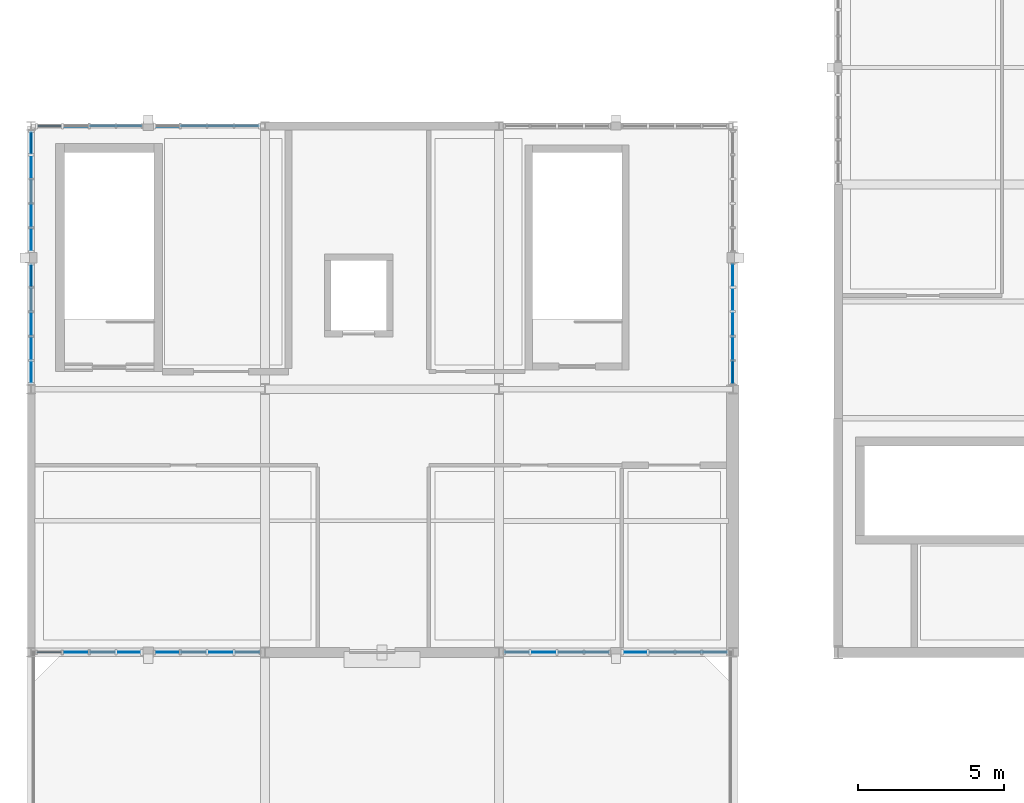
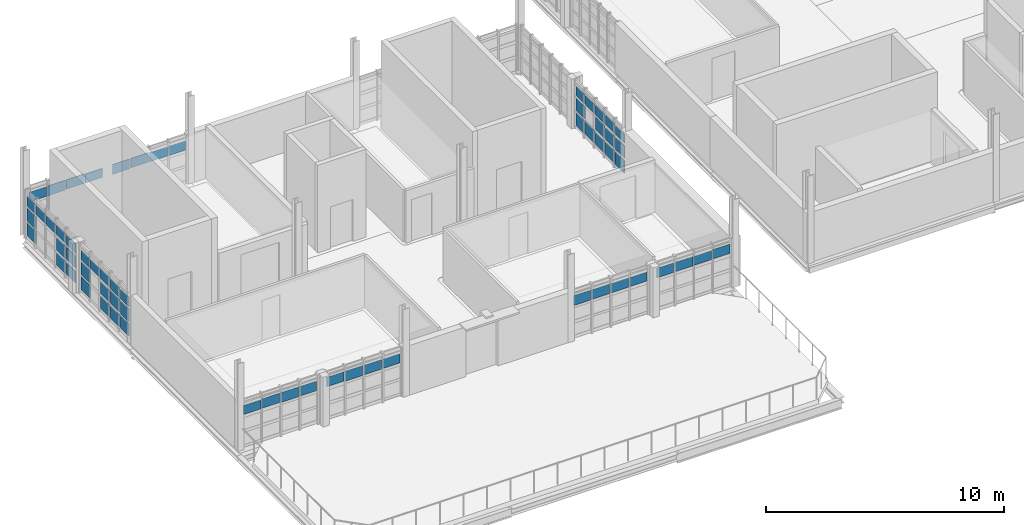
# One storey, part 31 of 44: 62 plates, 9 elements without a shape of their own.
"""IFC4 building model written with IfcOpenShell, lengths in metres."""

import ifcopenshell
import ifcopenshell.guid

model = None  # the IFC model being written
_history = None  # IfcOwnerHistory: only IFC2X3 demands one
_inside = {}  # id of a spatial element -> (the spatial element, [elements in it])
_under = {}  # id of a project, library or spatial element -> (it, [spatial elements below it])
_declared = {}  # id of a project -> (the project, [libraries it declares])
_typed = {}  # id of a type object -> (the type object, [elements of that type])
_made_of = {}  # id of a material, layer set ... -> (it, [elements and type objects made of it])


def new_model(schema):
    """Start an empty IFC model of exactly this schema.

    Asked for "IFC4X3", IfcOpenShell would pick the latest addendum, in which some entities
    have other attributes; the version numbers below select the first issue.
    IFC2X3 requires an IfcOwnerHistory on every rooted entity: one is made here for all.
    """
    global model, _history
    if schema == "IFC4X3":
        model = ifcopenshell.file(schema_version=(4, 3, 0, 0))
    else:
        model = ifcopenshell.file(schema=schema)
    _inside.clear()
    _under.clear()
    _declared.clear()
    _typed.clear()
    _made_of.clear()
    _history = None
    if model.schema == "IFC2X3":
        org = make("IfcOrganization", Name="unknown")
        user = make(
            "IfcPersonAndOrganization",
            ThePerson=make("IfcPerson", FamilyName="unknown"),
            TheOrganization=org,
        )
        app = make(
            "IfcApplication",
            ApplicationDeveloper=org,
            Version="unknown",
            ApplicationFullName="unknown",
            ApplicationIdentifier="unknown",
        )
        _history = make(
            "IfcOwnerHistory",
            OwningUser=user,
            OwningApplication=app,
            ChangeAction="ADDED",
            CreationDate=0,
        )
    return model


def make(cls, **values):
    """One entity of the class cls with the attributes given. An attribute that is None is left unset."""
    return model.create_entity(
        cls, **{name: value for name, value in values.items() if value is not None}
    )


def rooted(cls, **values):
    """An entity with a GlobalId (a new one), such as an element, a storey or a relation."""
    return make(cls, GlobalId=ifcopenshell.guid.new(), OwnerHistory=_history, **values)


def si_unit(unit_type, name, prefix=None):
    """IfcSIUnit, for example si_unit("LENGTHUNIT", "METRE", prefix="MILLI")."""
    return make("IfcSIUnit", UnitType=unit_type, Prefix=prefix, Name=name)


def assignment(units):
    """IfcUnitAssignment: the units of a project."""
    return None if units is None else make("IfcUnitAssignment", Units=units)


def point(xyz):
    """IfcCartesianPoint."""
    return None if xyz is None else make("IfcCartesianPoint", Coordinates=xyz)


def direction(xyz):
    """IfcDirection."""
    return None if xyz is None else make("IfcDirection", DirectionRatios=xyz)


def frame(location, z_axis=None, x_axis=None):
    """IfcAxis2Placement3D, a coordinate frame: its origin and axes. An axis left out is left unset."""
    return make(
        "IfcAxis2Placement3D",
        Location=point(location),
        Axis=direction(z_axis),
        RefDirection=direction(x_axis),
    )


def frame_2d(location, x_axis=None):
    """IfcAxis2Placement2D, a coordinate frame in the plane: its origin and x axis."""
    return make(
        "IfcAxis2Placement2D", Location=point(location), RefDirection=direction(x_axis)
    )


def origin():
    """The frame at (0, 0, 0) with its axes left unset."""
    return frame((0.0, 0.0, 0.0))


def origin_2d():
    """The frame at (0, 0) in the plane with its x axis left unset."""
    return frame_2d((0.0, 0.0))


def place(relative_to, where):
    """IfcLocalPlacement: puts the frame where relative to a parent placement (None: the world)."""
    return make(
        "IfcLocalPlacement", PlacementRelTo=relative_to, RelativePlacement=where
    )


def context(
    kind, dimensions, precision=None, world=None, true_north=None, identifier=None
):
    """IfcGeometricRepresentationContext, for example the 3D "Model" context."""
    return make(
        "IfcGeometricRepresentationContext",
        ContextIdentifier=identifier,
        ContextType=kind,
        CoordinateSpaceDimension=dimensions,
        Precision=precision,
        WorldCoordinateSystem=world,
        TrueNorth=true_north,
    )


def subcontext(parent, identifier, kind, view, scale=None):
    """IfcGeometricRepresentationSubContext, for example "Body" below "Model"."""
    return make(
        "IfcGeometricRepresentationSubContext",
        ContextIdentifier=identifier,
        ContextType=kind,
        ParentContext=parent,
        TargetScale=scale,
        TargetView=view,
    )


def project(units=None, contexts=None):
    """IfcProject with its units and contexts."""
    return rooted(
        "IfcProject",
        Name="project",
        RepresentationContexts=contexts,
        UnitsInContext=assignment(units),
    )


def spatial(cls, under=None, at=None, **own):
    """A site, building, storey or space (cls), placed at a placement, below another one or the project."""
    s = rooted(cls, ObjectPlacement=at, **own)
    if under is not None:
        _under.setdefault(under.id(), (under, []))[1].append(s)
    return s


def profile(cls, at=None, kind="AREA", **sizes):
    """A parametric profile (cls). Its sizes go by their IFC names, for example OverallWidth=200.0."""
    return make(cls, ProfileType=kind, Position=at, **sizes)


def rectangle(**sizes):
    """IfcRectangleProfileDef."""
    return profile("IfcRectangleProfileDef", **sizes)


def extrude(swept, where, along, depth):
    """IfcExtrudedAreaSolid: the profile swept, set in the frame where, extruded along a direction by depth."""
    return make(
        "IfcExtrudedAreaSolid",
        SweptArea=swept,
        Position=where,
        ExtrudedDirection=direction(along),
        Depth=depth,
    )


def shape(context_of_items, identifier, shape_type, items):
    """IfcShapeRepresentation: the items that make up one representation, for example the "Body"."""
    return make(
        "IfcShapeRepresentation",
        ContextOfItems=context_of_items,
        RepresentationIdentifier=identifier,
        RepresentationType=shape_type,
        Items=items,
    )


def material(Name=None, Category=None):
    """IfcMaterial."""
    return make("IfcMaterial", Name=Name, Category=Category)


def layer(
    of_material, thickness, ventilated=None, Name=None, Category=None, Priority=None
):
    """IfcMaterialLayer: one layer of a wall or slab, of a material (None: an air gap)."""
    return make(
        "IfcMaterialLayer",
        Material=of_material,
        LayerThickness=thickness,
        IsVentilated=ventilated,
        Name=Name,
        Category=Category,
        Priority=Priority,
    )


def layer_set(layers, Name=None):
    """IfcMaterialLayerSet."""
    return make("IfcMaterialLayerSet", MaterialLayers=layers, LayerSetName=Name)


def made_of(thing, what):
    """Note that an element or type object is made of a material, layer set ...; save() writes the relation."""
    if what is not None:
        _made_of.setdefault(what.id(), (what, []))[1].append(thing)
    return thing


def type_object(cls, material=None, **own):
    """A type object (cls), such as IfcWallType, which elements share."""
    return made_of(rooted(cls, **own), material)


def element(
    cls,
    number,
    at=None,
    inside=None,
    cuts=None,
    type_object=None,
    material=None,
    context=None,
    identifier="Body",
    shape_type=None,
    held_by="IfcProductDefinitionShape",
    body=None,
    shapes=None,
    **own,
):
    """One element of the class cls, such as IfcWall. Its Tag is "e" and its number.

    at: its placement. inside: the storey or other place that contains it. cuts: it is an
    opening in that element (IfcRelVoidsElement). A single representation is given by context,
    identifier, shape_type and body (its items); several are given by shapes. held_by: the class
    of the entity that holds the representations. save() writes the other relations.
    """
    e = rooted(cls, Tag="e%d" % number, ObjectPlacement=at, **own)
    if body is not None:
        shapes = [shape(context, identifier, shape_type, body)]
    if shapes is not None:
        e.Representation = make(held_by, Representations=shapes)
    if inside is not None:
        _inside.setdefault(inside.id(), (inside, []))[1].append(e)
    if cuts is not None:
        rooted(
            "IfcRelVoidsElement", RelatingBuildingElement=cuts, RelatedOpeningElement=e
        )
    if type_object is not None:
        _typed.setdefault(type_object.id(), (type_object, []))[1].append(e)
    return made_of(e, material)


def aggregate(whole, parts):
    """IfcRelAggregates: a whole, such as a stair, and the parts it consists of."""
    return rooted("IfcRelAggregates", RelatingObject=whole, RelatedObjects=parts)


def save(model, path):
    """Write the relations noted so far, then the file.

    IfcRelAggregates (storeys below a building ...), IfcRelContainedInSpatialStructure (elements
    in a storey), IfcRelDefinesByType, IfcRelAssociatesMaterial and IfcRelDeclares: one each for
    every whole, place, type object, material and project.
    """
    for whole, parts in _under.values():
        aggregate(whole, parts)
    for where, things in _inside.values():
        rooted(
            "IfcRelContainedInSpatialStructure",
            RelatedElements=things,
            RelatingStructure=where,
        )
    for kind, things in _typed.values():
        rooted("IfcRelDefinesByType", RelatedObjects=things, RelatingType=kind)
    for what, things in _made_of.values():
        rooted("IfcRelAssociatesMaterial", RelatedObjects=things, RelatingMaterial=what)
    for by, libraries in _declared.values():
        rooted("IfcRelDeclares", RelatingContext=by, RelatedDefinitions=libraries)
    model.write(path)


model = new_model("IFC4")

# Units and contexts
model_context = context("Model", 3, precision=1e-05, world=origin(), true_north=direction((0.0, 1.0)))
body_context = subcontext(model_context, "Body", "Model", "MODEL_VIEW")
ifc_project = project(units=[si_unit("LENGTHUNIT", "METRE"), si_unit("AREAUNIT", "SQUARE_METRE"), si_unit("VOLUMEUNIT", "CUBIC_METRE"), si_unit("PLANEANGLEUNIT", "RADIAN"), si_unit("MASSUNIT", "GRAM", prefix="KILO")], contexts=[model_context])

# Site, building, storey
site_placement = place(None, origin())
site = spatial("IfcSite", under=ifc_project, at=site_placement, CompositionType="ELEMENT")
building_placement = place(site_placement, origin())
building = spatial("IfcBuilding", under=site, at=building_placement, Name="Serraforn Aerial Cableway Station", CompositionType="ELEMENT")
storey_placement = place(building_placement, frame((0.0, 0.0, 13.800048828125)))
storey = spatial("IfcBuildingStorey", under=building, at=storey_placement, Name="L03", CompositionType="ELEMENT", Elevation=13.800048828125)

# Curtain wall, plate
ifc_material_1 = material(Name="Anodised bronze unitised curtain wall")
curtain_wall_type_1 = type_object("IfcCurtainWallType", Name="CW-SYS-7", PredefinedType="USERDEFINED", material=ifc_material_1)
curtain_wall_1_placement = place(storey_placement, origin())
curtain_wall_1 = element("IfcCurtainWall", 1, at=curtain_wall_1_placement, inside=storey, type_object=curtain_wall_type_1, Name="Unitised Curtain Wall CW-W-L03-S1A", ObjectType="UNITISED CURTAIN WALL", PredefinedType="USERDEFINED")
ifc_material_2 = material(Name="Solar-control low-E double glazing", Category="glass")
ifc_layer_1 = layer(ifc_material_2, 0.02587890625)
ifc_layer_set_1 = layer_set([ifc_layer_1], Name="Solar-control low-E double glazing")
plate_type_1 = type_object("IfcPlateType", Name="CW-GLZ-1", PredefinedType="CURTAIN_PANEL", material=ifc_layer_set_1)
plate_1_placement = place(storey_placement, frame((3.341064453125, 18.0, 1.68994140625), z_axis=(0.0, 0.0, 1.0), x_axis=(1.0, 0.0, 0.0)))
plate_1 = element("IfcPlate", 2, at=plate_1_placement, type_object=plate_type_1, Name="Curtain Wall Panel CW-W-L03-S1A-P4-3", PredefinedType="CURTAIN_PANEL", context=body_context, shape_type="SweptSolid", body=[
    extrude(rectangle(XDim=0.81201171875, YDim=0.02587890625, at=origin_2d()), origin(), (0.0, 0.0, 1.0), 0.488525390625),
])

curtain_wall_type_2 = type_object("IfcCurtainWallType", Name="CW-SYS-8", PredefinedType="USERDEFINED", material=ifc_material_1)
curtain_wall_2_placement = place(storey_placement, origin())
curtain_wall_2 = element("IfcCurtainWall", 3, at=curtain_wall_2_placement, inside=storey, type_object=curtain_wall_type_2, Name="Unitised Curtain Wall CW-W-L03-S1B", ObjectType="UNITISED CURTAIN WALL", PredefinedType="USERDEFINED")
plate_2_placement = place(storey_placement, frame((6.4736328125, 18.0, 1.68994140625), z_axis=(0.0, 0.0, 1.0), x_axis=(1.0, 0.0, 0.0)))
plate_2 = element("IfcPlate", 4, at=plate_2_placement, type_object=plate_type_1, Name="Curtain Wall Panel CW-W-L03-S1B-P3-3", PredefinedType="CURTAIN_PANEL", context=body_context, shape_type="SweptSolid", body=[
    extrude(rectangle(XDim=0.849609375, YDim=0.02587890625, at=origin_2d()), origin(), (0.0, 0.0, 1.0), 0.488525390625),
])

curtain_wall_type_3 = type_object("IfcCurtainWallType", Name="CW-SYS-9", PredefinedType="USERDEFINED", material=ifc_material_1)
curtain_wall_3_placement = place(storey_placement, origin())
curtain_wall_3 = element("IfcCurtainWall", 5, at=curtain_wall_3_placement, inside=storey, type_object=curtain_wall_type_3, Name="Unitised Curtain Wall CW-W-L03-S3A", ObjectType="UNITISED CURTAIN WALL", PredefinedType="USERDEFINED")
plate_3_placement = place(storey_placement, frame((17.523681640625, 18.0, 1.68994140625), z_axis=(0.0, 0.0, 1.0), x_axis=(1.0, 0.0, 0.0)))
plate_3 = element("IfcPlate", 6, at=plate_3_placement, type_object=plate_type_1, Name="Curtain Wall Panel CW-W-L03-S3A-P2-3", PredefinedType="CURTAIN_PANEL", context=body_context, shape_type="SweptSolid", body=[
    extrude(rectangle(XDim=0.849609375, YDim=0.02587890625, at=origin_2d()), origin(), (0.0, 0.0, 1.0), 0.488525390625),
])

curtain_wall_type_4 = type_object("IfcCurtainWallType", Name="CW-SYS-10", PredefinedType="USERDEFINED", material=ifc_material_1)
curtain_wall_4_placement = place(storey_placement, origin())
curtain_wall_4 = element("IfcCurtainWall", 7, at=curtain_wall_4_placement, inside=storey, type_object=curtain_wall_type_4, Name="Unitised Curtain Wall CW-W-L03-S3B", ObjectType="UNITISED CURTAIN WALL", PredefinedType="USERDEFINED")
plate_4_placement = place(storey_placement, frame((20.6552734375, 18.0, 1.68994140625), z_axis=(0.0, 0.0, 1.0), x_axis=(1.0, 0.0, 0.0)))
plate_4 = element("IfcPlate", 8, at=plate_4_placement, type_object=plate_type_1, Name="Curtain Wall Panel CW-W-L03-S3B-P1-3", PredefinedType="CURTAIN_PANEL", context=body_context, shape_type="SweptSolid", body=[
    extrude(rectangle(XDim=0.814453125, YDim=0.02587890625, at=origin_2d()), origin(), (0.0, 0.0, 1.0), 0.488525390625),
])

# Curtain wall, plates
curtain_wall_type_5 = type_object("IfcCurtainWallType", Name="CW-SYS-15", PredefinedType="USERDEFINED", material=ifc_material_1)
curtain_wall_5_placement = place(storey_placement, origin())
curtain_wall_5 = element("IfcCurtainWall", 9, at=curtain_wall_5_placement, inside=storey, type_object=curtain_wall_type_5, Name="Unitised Curtain Wall CW-W-L03-W2A", ObjectType="UNITISED CURTAIN WALL", PredefinedType="USERDEFINED")
plate_5_placement = place(storey_placement, frame((0.0, 32.932861328125, 1.71240234375), z_axis=(0.0, 0.0, 1.0), x_axis=(1.0, 0.0, 0.0)))
plate_5 = element("IfcPlate", 10, at=plate_5_placement, type_object=plate_type_1, Name="Curtain Wall Panel CW-W-L03-W2A-P4-3", PredefinedType="CURTAIN_PANEL", context=body_context, shape_type="SweptSolid", body=[
    extrude(rectangle(XDim=0.02587890625, YDim=0.77587890625, at=origin_2d()), origin(), (0.0, 0.0, 1.0), 0.478515625),
])
plate_6_placement = place(storey_placement, frame((0.0, 32.115966796875, 0.947265625), z_axis=(0.0, 0.0, 1.0), x_axis=(1.0, 0.0, 0.0)))
plate_6 = element("IfcPlate", 11, at=plate_6_placement, type_object=plate_type_1, Name="Curtain Wall Panel CW-W-L03-W2A-P5-2", PredefinedType="CURTAIN_PANEL", context=body_context, shape_type="SweptSolid", body=[
    extrude(rectangle(XDim=0.02587890625, YDim=0.73583984375, at=origin_2d()), origin(), (0.0, 0.0, 1.0), 0.631591796875),
])

curtain_wall_type_6 = type_object("IfcCurtainWallType", Name="CW-SYS-16", PredefinedType="USERDEFINED", material=ifc_material_1)
curtain_wall_6_placement = place(storey_placement, origin())
curtain_wall_6 = element("IfcCurtainWall", 12, at=curtain_wall_6_placement, inside=storey, type_object=curtain_wall_type_6, Name="Unitised Curtain Wall CW-W-L03-W2B", ObjectType="UNITISED CURTAIN WALL", PredefinedType="USERDEFINED")
plate_7_placement = place(storey_placement, frame((0.0, 29.2353515625, 1.71240234375), z_axis=(0.0, 0.0, 1.0), x_axis=(1.0, 0.0, 0.0)))
plate_7 = element("IfcPlate", 13, at=plate_7_placement, type_object=plate_type_1, Name="Curtain Wall Panel CW-W-L03-W2B-P3-3", PredefinedType="CURTAIN_PANEL", context=body_context, shape_type="SweptSolid", body=[
    extrude(rectangle(XDim=0.02587890625, YDim=0.77587890625, at=origin_2d()), origin(), (0.0, 0.0, 1.0), 0.478515625),
])
plate_8_placement = place(storey_placement, frame((0.0, 28.40087890625, 0.947265625), z_axis=(0.0, 0.0, 1.0), x_axis=(1.0, 0.0, 0.0)))
plate_8 = element("IfcPlate", 14, at=plate_8_placement, type_object=plate_type_1, Name="Curtain Wall Panel CW-W-L03-W2B-P4-2", PredefinedType="CURTAIN_PANEL", context=body_context, shape_type="SweptSolid", body=[
    extrude(rectangle(XDim=0.02587890625, YDim=0.77099609375, at=origin_2d()), origin(), (0.0, 0.0, 1.0), 0.631591796875),
])
plate_9_placement = place(storey_placement, frame((0.0, 27.585205078125, 0.18212890625), z_axis=(0.0, 0.0, 1.0), x_axis=(1.0, 0.0, 0.0)))
plate_9 = element("IfcPlate", 15, at=plate_9_placement, type_object=plate_type_1, Name="Curtain Wall Panel CW-W-L03-W2B-P5-1", PredefinedType="CURTAIN_PANEL", context=body_context, shape_type="SweptSolid", body=[
    extrude(rectangle(XDim=0.02587890625, YDim=0.728515625, at=origin_2d()), origin(), (0.0, 0.0, 1.0), 0.631591796875),
])

curtain_wall_type_7 = type_object("IfcCurtainWallType", Name="CW-SYS-17", PredefinedType="USERDEFINED", material=ifc_material_1)
curtain_wall_7_placement = place(storey_placement, origin())
curtain_wall_7 = element("IfcCurtainWall", 16, at=curtain_wall_7_placement, inside=storey, type_object=curtain_wall_type_7, Name="Unitised Curtain Wall CW-W-L03-E2A", ObjectType="UNITISED CURTAIN WALL", PredefinedType="USERDEFINED")
plate_10_placement = place(storey_placement, frame((24.0, 28.3984375, 1.71240234375), z_axis=(0.0, 0.0, 1.0), x_axis=(1.0, 0.0, 0.0)))
plate_10 = element("IfcPlate", 17, at=plate_10_placement, type_object=plate_type_1, Name="Curtain Wall Panel CW-W-L03-E2A-P2-3", PredefinedType="CURTAIN_PANEL", context=body_context, shape_type="SweptSolid", body=[
    extrude(rectangle(XDim=0.02587890625, YDim=0.77587890625, at=origin_2d()), origin(), (0.0, 0.0, 1.0), 0.478515625),
])
plate_11_placement = place(storey_placement, frame((24.0, 29.232666015625, 0.947265625), z_axis=(0.0, 0.0, 1.0), x_axis=(1.0, 0.0, 0.0)))
plate_11 = element("IfcPlate", 18, at=plate_11_placement, type_object=plate_type_1, Name="Curtain Wall Panel CW-W-L03-E2A-P3-2", PredefinedType="CURTAIN_PANEL", context=body_context, shape_type="SweptSolid", body=[
    extrude(rectangle(XDim=0.02587890625, YDim=0.77099609375, at=origin_2d()), origin(), (0.0, 0.0, 1.0), 0.631591796875),
])
plate_12_placement = place(storey_placement, frame((24.0, 30.067138671875, 0.18212890625), z_axis=(0.0, 0.0, 1.0), x_axis=(1.0, 0.0, 0.0)))
plate_12 = element("IfcPlate", 19, at=plate_12_placement, type_object=plate_type_1, Name="Curtain Wall Panel CW-W-L03-E2A-P4-1", PredefinedType="CURTAIN_PANEL", context=body_context, shape_type="SweptSolid", body=[
    extrude(rectangle(XDim=0.02587890625, YDim=0.765869140625, at=origin_2d()), origin(), (0.0, 0.0, 1.0), 0.631591796875),
])

# Plate
ifc_layer_2 = layer(ifc_material_2, 0.028076171875)
ifc_layer_set_2 = layer_set([ifc_layer_2], Name="Solar-control low-E double glazing")
plate_type_2 = type_object("IfcPlateType", Name="CW-GLZ-2", PredefinedType="CURTAIN_PANEL", material=ifc_layer_set_2)
plate_13_placement = place(storey_placement, frame((7.38427734375, 18.0, 1.69775390625), z_axis=(0.0, 0.0, 1.0), x_axis=(1.0, 0.0, 0.0)))
plate_13 = element("IfcPlate", 20, at=plate_13_placement, type_object=plate_type_2, Name="Curtain Wall Panel CW-W-L03-S1B-P4-3", PredefinedType="CURTAIN_PANEL", context=body_context, shape_type="SweptSolid", body=[
    extrude(rectangle(XDim=0.82958984375, YDim=0.028076171875, at=origin_2d()), origin(), (0.0, 0.0, 1.0), 0.473388671875),
])

plate_14_placement = place(storey_placement, frame((18.447998046875, 18.0, 1.69775390625), z_axis=(0.0, 0.0, 1.0), x_axis=(1.0, 0.0, 0.0)))
plate_14 = element("IfcPlate", 21, at=plate_14_placement, type_object=plate_type_2, Name="Curtain Wall Panel CW-W-L03-S3A-P3-3", PredefinedType="CURTAIN_PANEL", context=body_context, shape_type="SweptSolid", body=[
    extrude(rectangle(XDim=0.85693359375, YDim=0.028076171875, at=origin_2d()), origin(), (0.0, 0.0, 1.0), 0.473388671875),
])

plate_15_placement = place(storey_placement, frame((21.56201171875, 18.0, 1.69775390625), z_axis=(0.0, 0.0, 1.0), x_axis=(1.0, 0.0, 0.0)))
plate_15 = element("IfcPlate", 22, at=plate_15_placement, type_object=plate_type_2, Name="Curtain Wall Panel CW-W-L03-S3B-P2-3", PredefinedType="CURTAIN_PANEL", context=body_context, shape_type="SweptSolid", body=[
    extrude(rectangle(XDim=0.85693359375, YDim=0.028076171875, at=origin_2d()), origin(), (0.0, 0.0, 1.0), 0.473388671875),
])

# Curtain wall, plate
curtain_wall_type_8 = type_object("IfcCurtainWallType", Name="CW-SYS-11", PredefinedType="USERDEFINED", material=ifc_material_1)
curtain_wall_8_placement = place(storey_placement, origin())
curtain_wall_8 = element("IfcCurtainWall", 23, at=curtain_wall_8_placement, inside=storey, type_object=curtain_wall_type_8, Name="Unitised Curtain Wall CW-W-L03-N1A", ObjectType="UNITISED CURTAIN WALL", PredefinedType="USERDEFINED")
plate_16_placement = place(storey_placement, frame((7.369384765625, 36.0, 1.69775390625), z_axis=(0.0, 0.0, 1.0), x_axis=(1.0, 0.0, 0.0)))
plate_16 = element("IfcPlate", 24, at=plate_16_placement, type_object=plate_type_2, Name="Curtain Wall Panel CW-W-L03-N1A-P1-3", PredefinedType="CURTAIN_PANEL", context=body_context, shape_type="SweptSolid", body=[
    extrude(rectangle(XDim=0.819580078125, YDim=0.028076171875, at=origin_2d()), origin(), (0.0, 0.0, 1.0), 0.473388671875),
])

# Plate
plate_17_placement = place(storey_placement, frame((0.0, 32.115966796875, 1.68505859375), z_axis=(0.0, 0.0, 1.0), x_axis=(1.0, 0.0, 0.0)))
plate_17 = element("IfcPlate", 25, at=plate_17_placement, type_object=plate_type_2, Name="Curtain Wall Panel CW-W-L03-W2A-P5-3", PredefinedType="CURTAIN_PANEL", context=body_context, shape_type="SweptSolid", body=[
    extrude(rectangle(XDim=0.028076171875, YDim=0.73583984375, at=origin_2d()), origin(), (0.0, 0.0, 1.0), 0.5009765625),
])

plate_18_placement = place(storey_placement, frame((0.0, 28.40087890625, 1.68505859375), z_axis=(0.0, 0.0, 1.0), x_axis=(1.0, 0.0, 0.0)))
plate_18 = element("IfcPlate", 26, at=plate_18_placement, type_object=plate_type_2, Name="Curtain Wall Panel CW-W-L03-W2B-P4-3", PredefinedType="CURTAIN_PANEL", context=body_context, shape_type="SweptSolid", body=[
    extrude(rectangle(XDim=0.028076171875, YDim=0.77099609375, at=origin_2d()), origin(), (0.0, 0.0, 1.0), 0.5009765625),
])

plate_19_placement = place(storey_placement, frame((0.0, 27.585205078125, 0.919921875), z_axis=(0.0, 0.0, 1.0), x_axis=(1.0, 0.0, 0.0)))
plate_19 = element("IfcPlate", 27, at=plate_19_placement, type_object=plate_type_2, Name="Curtain Wall Panel CW-W-L03-W2B-P5-2", PredefinedType="CURTAIN_PANEL", context=body_context, shape_type="SweptSolid", body=[
    extrude(rectangle(XDim=0.028076171875, YDim=0.728515625, at=origin_2d()), origin(), (0.0, 0.0, 1.0), 0.654052734375),
])

plate_20_placement = place(storey_placement, frame((24.0, 29.232666015625, 1.68505859375), z_axis=(0.0, 0.0, 1.0), x_axis=(1.0, 0.0, 0.0)))
plate_20 = element("IfcPlate", 28, at=plate_20_placement, type_object=plate_type_2, Name="Curtain Wall Panel CW-W-L03-E2A-P3-3", PredefinedType="CURTAIN_PANEL", context=body_context, shape_type="SweptSolid", body=[
    extrude(rectangle(XDim=0.028076171875, YDim=0.77099609375, at=origin_2d()), origin(), (0.0, 0.0, 1.0), 0.5009765625),
])

plate_21_placement = place(storey_placement, frame((24.0, 30.89404296875, 0.15478515625), z_axis=(0.0, 0.0, 1.0), x_axis=(1.0, 0.0, 0.0)))
plate_21 = element("IfcPlate", 29, at=plate_21_placement, type_object=plate_type_2, Name="Curtain Wall Panel CW-W-L03-E2A-P5-1", PredefinedType="CURTAIN_PANEL", context=body_context, shape_type="SweptSolid", body=[
    extrude(rectangle(XDim=0.028076171875, YDim=0.745849609375, at=origin_2d()), origin(), (0.0, 0.0, 1.0), 0.654052734375),
])

ifc_layer_3 = layer(ifc_material_2, 0.030029296875)
ifc_layer_set_3 = layer_set([ifc_layer_3], Name="Solar-control low-E double glazing")
plate_type_3 = type_object("IfcPlateType", Name="CW-GLZ-3", PredefinedType="CURTAIN_PANEL", material=ifc_layer_set_3)
plate_22_placement = place(storey_placement, frame((19.3447265625, 18.0, 1.704833984375), z_axis=(0.0, 0.0, 1.0), x_axis=(1.0, 0.0, 0.0)))
plate_22 = element("IfcPlate", 30, at=plate_22_placement, type_object=plate_type_3, Name="Curtain Wall Panel CW-W-L03-S3A-P4-3", PredefinedType="CURTAIN_PANEL", context=body_context, shape_type="SweptSolid", body=[
    extrude(rectangle(XDim=0.83447265625, YDim=0.030029296875, at=origin_2d()), origin(), (0.0, 0.0, 1.0), 0.45849609375),
])

plate_23_placement = place(storey_placement, frame((22.4736328125, 18.0, 1.704833984375), z_axis=(0.0, 0.0, 1.0), x_axis=(1.0, 0.0, 0.0)))
plate_23 = element("IfcPlate", 31, at=plate_23_placement, type_object=plate_type_3, Name="Curtain Wall Panel CW-W-L03-S3B-P3-3", PredefinedType="CURTAIN_PANEL", context=body_context, shape_type="SweptSolid", body=[
    extrude(rectangle(XDim=0.864501953125, YDim=0.030029296875, at=origin_2d()), origin(), (0.0, 0.0, 1.0), 0.45849609375),
])

plate_24_placement = place(storey_placement, frame((6.476318359375, 36.0, 1.704833984375), z_axis=(0.0, 0.0, 1.0), x_axis=(1.0, 0.0, 0.0)))
plate_24 = element("IfcPlate", 32, at=plate_24_placement, type_object=plate_type_3, Name="Curtain Wall Panel CW-W-L03-N1A-P2-3", PredefinedType="CURTAIN_PANEL", context=body_context, shape_type="SweptSolid", body=[
    extrude(rectangle(XDim=0.864501953125, YDim=0.030029296875, at=origin_2d()), origin(), (0.0, 0.0, 1.0), 0.45849609375),
])

# Curtain wall, plate
curtain_wall_type_9 = type_object("IfcCurtainWallType", Name="CW-SYS-12", PredefinedType="USERDEFINED", material=ifc_material_1)
curtain_wall_9_placement = place(storey_placement, origin())
curtain_wall_9 = element("IfcCurtainWall", 33, at=curtain_wall_9_placement, inside=storey, type_object=curtain_wall_type_9, Name="Unitised Curtain Wall CW-W-L03-N1B", ObjectType="UNITISED CURTAIN WALL", PredefinedType="USERDEFINED")
plate_25_placement = place(storey_placement, frame((3.348388671875, 36.0, 1.704833984375), z_axis=(0.0, 0.0, 1.0), x_axis=(1.0, 0.0, 0.0)))
plate_25 = element("IfcPlate", 34, at=plate_25_placement, type_object=plate_type_3, Name="Curtain Wall Panel CW-W-L03-N1B-P1-3", PredefinedType="CURTAIN_PANEL", context=body_context, shape_type="SweptSolid", body=[
    extrude(rectangle(XDim=0.8369140625, YDim=0.030029296875, at=origin_2d()), origin(), (0.0, 0.0, 1.0), 0.45849609375),
])

# Plate
plate_26_placement = place(storey_placement, frame((0.0, 27.585205078125, 1.68994140625), z_axis=(0.0, 0.0, 1.0), x_axis=(1.0, 0.0, 0.0)))
plate_26 = element("IfcPlate", 35, at=plate_26_placement, type_object=plate_type_3, Name="Curtain Wall Panel CW-W-L03-W2B-P5-3", PredefinedType="CURTAIN_PANEL", context=body_context, shape_type="SweptSolid", body=[
    extrude(rectangle(XDim=0.030029296875, YDim=0.728515625, at=origin_2d()), origin(), (0.0, 0.0, 1.0), 0.488525390625),
])

plate_27_placement = place(storey_placement, frame((24.0, 30.067138671875, 1.68994140625), z_axis=(0.0, 0.0, 1.0), x_axis=(1.0, 0.0, 0.0)))
plate_27 = element("IfcPlate", 36, at=plate_27_placement, type_object=plate_type_3, Name="Curtain Wall Panel CW-W-L03-E2A-P4-3", PredefinedType="CURTAIN_PANEL", context=body_context, shape_type="SweptSolid", body=[
    extrude(rectangle(XDim=0.030029296875, YDim=0.765869140625, at=origin_2d()), origin(), (0.0, 0.0, 1.0), 0.488525390625),
])

plate_28_placement = place(storey_placement, frame((24.0, 30.89404296875, 0.9248046875), z_axis=(0.0, 0.0, 1.0), x_axis=(1.0, 0.0, 0.0)))
plate_28 = element("IfcPlate", 37, at=plate_28_placement, type_object=plate_type_3, Name="Curtain Wall Panel CW-W-L03-E2A-P5-2", PredefinedType="CURTAIN_PANEL", context=body_context, shape_type="SweptSolid", body=[
    extrude(rectangle(XDim=0.030029296875, YDim=0.745849609375, at=origin_2d()), origin(), (0.0, 0.0, 1.0), 0.6416015625),
])

ifc_layer_4 = layer(ifc_material_2, 0.031982421875)
ifc_layer_set_4 = layer_set([ifc_layer_4], Name="Solar-control low-E double glazing")
plate_type_4 = type_object("IfcPlateType", Name="CW-GLZ-4", PredefinedType="CURTAIN_PANEL", material=ifc_layer_set_4)
plate_29_placement = place(storey_placement, frame((23.37548828125, 18.0, 1.71240234375), z_axis=(0.0, 0.0, 1.0), x_axis=(1.0, 0.0, 0.0)))
plate_29 = element("IfcPlate", 38, at=plate_29_placement, type_object=plate_type_4, Name="Curtain Wall Panel CW-W-L03-S3B-P4-3", PredefinedType="CURTAIN_PANEL", context=body_context, shape_type="SweptSolid", body=[
    extrude(rectangle(XDim=0.826904296875, YDim=0.031982421875, at=origin_2d()), origin(), (0.0, 0.0, 1.0), 0.478515625),
])

aggregate(curtain_wall_4, [plate_4, plate_15, plate_23, plate_29])

plate_30_placement = place(storey_placement, frame((5.558349609375, 36.0, 1.71240234375), z_axis=(0.0, 0.0, 1.0), x_axis=(1.0, 0.0, 0.0)))
plate_30 = element("IfcPlate", 39, at=plate_30_placement, type_object=plate_type_4, Name="Curtain Wall Panel CW-W-L03-N1A-P3-3", PredefinedType="CURTAIN_PANEL", context=body_context, shape_type="SweptSolid", body=[
    extrude(rectangle(XDim=0.859619140625, YDim=0.031982421875, at=origin_2d()), origin(), (0.0, 0.0, 1.0), 0.478515625),
])

plate_31_placement = place(storey_placement, frame((2.444091796875, 36.0, 1.71240234375), z_axis=(0.0, 0.0, 1.0), x_axis=(1.0, 0.0, 0.0)))
plate_31 = element("IfcPlate", 40, at=plate_31_placement, type_object=plate_type_4, Name="Curtain Wall Panel CW-W-L03-N1B-P2-3", PredefinedType="CURTAIN_PANEL", context=body_context, shape_type="SweptSolid", body=[
    extrude(rectangle(XDim=0.859619140625, YDim=0.031982421875, at=origin_2d()), origin(), (0.0, 0.0, 1.0), 0.478515625),
])

plate_32_placement = place(storey_placement, frame((0.0, 35.41845703125, 0.18212890625), z_axis=(0.0, 0.0, 1.0), x_axis=(1.0, 0.0, 0.0)))
plate_32 = element("IfcPlate", 41, at=plate_32_placement, type_object=plate_type_4, Name="Curtain Wall Panel CW-W-L03-W2A-P1-1", PredefinedType="CURTAIN_PANEL", context=body_context, shape_type="SweptSolid", body=[
    extrude(rectangle(XDim=0.031982421875, YDim=0.73095703125, at=origin_2d()), origin(), (0.0, 0.0, 1.0), 0.631591796875),
])

plate_33_placement = place(storey_placement, frame((24.0, 30.89404296875, 1.69775390625), z_axis=(0.0, 0.0, 1.0), x_axis=(1.0, 0.0, 0.0)))
plate_33 = element("IfcPlate", 42, at=plate_33_placement, type_object=plate_type_4, Name="Curtain Wall Panel CW-W-L03-E2A-P5-3", PredefinedType="CURTAIN_PANEL", context=body_context, shape_type="SweptSolid", body=[
    extrude(rectangle(XDim=0.031982421875, YDim=0.745849609375, at=origin_2d()), origin(), (0.0, 0.0, 1.0), 0.473388671875),
])

ifc_layer_5 = layer(ifc_material_2, 0.033935546875)
ifc_layer_set_5 = layer_set([ifc_layer_5], Name="Solar-control low-E double glazing")
plate_type_5 = type_object("IfcPlateType", Name="CW-GLZ-5", PredefinedType="CURTAIN_PANEL", material=ifc_layer_set_5)
plate_34_placement = place(storey_placement, frame((4.65771484375, 36.0, 1.68505859375), z_axis=(0.0, 0.0, 1.0), x_axis=(1.0, 0.0, 0.0)))
plate_34 = element("IfcPlate", 43, at=plate_34_placement, type_object=plate_type_5, Name="Curtain Wall Panel CW-W-L03-N1A-P4-3", PredefinedType="CURTAIN_PANEL", context=body_context, shape_type="SweptSolid", body=[
    extrude(rectangle(XDim=0.819580078125, YDim=0.033935546875, at=origin_2d()), origin(), (0.0, 0.0, 1.0), 0.5009765625),
])

aggregate(curtain_wall_8, [plate_16, plate_24, plate_30, plate_34])

plate_35_placement = place(storey_placement, frame((1.5263671875, 36.0, 1.68505859375), z_axis=(0.0, 0.0, 1.0), x_axis=(1.0, 0.0, 0.0)))
plate_35 = element("IfcPlate", 44, at=plate_35_placement, type_object=plate_type_5, Name="Curtain Wall Panel CW-W-L03-N1B-P3-3", PredefinedType="CURTAIN_PANEL", context=body_context, shape_type="SweptSolid", body=[
    extrude(rectangle(XDim=0.8544921875, YDim=0.033935546875, at=origin_2d()), origin(), (0.0, 0.0, 1.0), 0.5009765625),
])

plate_36_placement = place(storey_placement, frame((0.0, 35.41845703125, 0.919921875), z_axis=(0.0, 0.0, 1.0), x_axis=(1.0, 0.0, 0.0)))
plate_36 = element("IfcPlate", 45, at=plate_36_placement, type_object=plate_type_5, Name="Curtain Wall Panel CW-W-L03-W2A-P1-2", PredefinedType="CURTAIN_PANEL", context=body_context, shape_type="SweptSolid", body=[
    extrude(rectangle(XDim=0.033935546875, YDim=0.73095703125, at=origin_2d()), origin(), (0.0, 0.0, 1.0), 0.654052734375),
])

plate_37_placement = place(storey_placement, frame((0.0, 30.87890625, 0.15478515625), z_axis=(0.0, 0.0, 1.0), x_axis=(1.0, 0.0, 0.0)))
plate_37 = element("IfcPlate", 46, at=plate_37_placement, type_object=plate_type_5, Name="Curtain Wall Panel CW-W-L03-W2B-P1-1", PredefinedType="CURTAIN_PANEL", context=body_context, shape_type="SweptSolid", body=[
    extrude(rectangle(XDim=0.033935546875, YDim=0.73583984375, at=origin_2d()), origin(), (0.0, 0.0, 1.0), 0.654052734375),
])

ifc_layer_6 = layer(ifc_material_2, 0.035888671875)
ifc_layer_set_6 = layer_set([ifc_layer_6], Name="Solar-control low-E double glazing")
plate_type_6 = type_object("IfcPlateType", Name="CW-GLZ-6", PredefinedType="CURTAIN_PANEL", material=ifc_layer_set_6)
plate_38_placement = place(storey_placement, frame((0.619384765625, 18.0, 1.704833984375), z_axis=(0.0, 0.0, 1.0), x_axis=(1.0, 0.0, 0.0)))
plate_38 = element("IfcPlate", 47, at=plate_38_placement, type_object=plate_type_6, Name="Curtain Wall Panel CW-W-L03-S1A-P1-3", PredefinedType="CURTAIN_PANEL", context=body_context, shape_type="SweptSolid", body=[
    extrude(rectangle(XDim=0.8369140625, YDim=0.035888671875, at=origin_2d()), origin(), (0.0, 0.0, 1.0), 0.45849609375),
])

plate_39_placement = place(storey_placement, frame((0.626953125, 36.0, 1.68994140625), z_axis=(0.0, 0.0, 1.0), x_axis=(1.0, 0.0, 0.0)))
plate_39 = element("IfcPlate", 48, at=plate_39_placement, type_object=plate_type_6, Name="Curtain Wall Panel CW-W-L03-N1B-P4-3", PredefinedType="CURTAIN_PANEL", context=body_context, shape_type="SweptSolid", body=[
    extrude(rectangle(XDim=0.81201171875, YDim=0.035888671875, at=origin_2d()), origin(), (0.0, 0.0, 1.0), 0.488525390625),
])

aggregate(curtain_wall_9, [plate_25, plate_31, plate_35, plate_39])

plate_40_placement = place(storey_placement, frame((0.0, 35.41845703125, 1.68994140625), z_axis=(0.0, 0.0, 1.0), x_axis=(1.0, 0.0, 0.0)))
plate_40 = element("IfcPlate", 49, at=plate_40_placement, type_object=plate_type_6, Name="Curtain Wall Panel CW-W-L03-W2A-P1-3", PredefinedType="CURTAIN_PANEL", context=body_context, shape_type="SweptSolid", body=[
    extrude(rectangle(XDim=0.035888671875, YDim=0.73095703125, at=origin_2d()), origin(), (0.0, 0.0, 1.0), 0.488525390625),
])

plate_41_placement = place(storey_placement, frame((0.0, 30.87890625, 0.9248046875), z_axis=(0.0, 0.0, 1.0), x_axis=(1.0, 0.0, 0.0)))
plate_41 = element("IfcPlate", 50, at=plate_41_placement, type_object=plate_type_6, Name="Curtain Wall Panel CW-W-L03-W2B-P1-2", PredefinedType="CURTAIN_PANEL", context=body_context, shape_type="SweptSolid", body=[
    extrude(rectangle(XDim=0.035888671875, YDim=0.73583984375, at=origin_2d()), origin(), (0.0, 0.0, 1.0), 0.6416015625),
])

plate_42_placement = place(storey_placement, frame((24.0, 27.57763671875, 0.159912109375), z_axis=(0.0, 0.0, 1.0), x_axis=(1.0, 0.0, 0.0)))
plate_42 = element("IfcPlate", 51, at=plate_42_placement, type_object=plate_type_6, Name="Curtain Wall Panel CW-W-L03-E2A-P1-1", PredefinedType="CURTAIN_PANEL", context=body_context, shape_type="SweptSolid", body=[
    extrude(rectangle(XDim=0.035888671875, YDim=0.75341796875, at=origin_2d()), origin(), (0.0, 0.0, 1.0), 0.6416015625),
])

ifc_layer_7 = layer(ifc_material_2, 0.029052734375)
ifc_layer_set_7 = layer_set([ifc_layer_7], Name="Solar-control low-E double glazing")
plate_type_7 = type_object("IfcPlateType", Name="CW-GLZ-7", PredefinedType="CURTAIN_PANEL", material=ifc_layer_set_7)
plate_43_placement = place(storey_placement, frame((1.523681640625, 18.0, 1.71240234375), z_axis=(0.0, 0.0, 1.0), x_axis=(1.0, 0.0, 0.0)))
plate_43 = element("IfcPlate", 52, at=plate_43_placement, type_object=plate_type_7, Name="Curtain Wall Panel CW-W-L03-S1A-P2-3", PredefinedType="CURTAIN_PANEL", context=body_context, shape_type="SweptSolid", body=[
    extrude(rectangle(XDim=0.859619140625, YDim=0.029052734375, at=origin_2d()), origin(), (0.0, 0.0, 1.0), 0.478515625),
])

plate_44_placement = place(storey_placement, frame((4.65283203125, 18.0, 1.71240234375), z_axis=(0.0, 0.0, 1.0), x_axis=(1.0, 0.0, 0.0)))
plate_44 = element("IfcPlate", 53, at=plate_44_placement, type_object=plate_type_7, Name="Curtain Wall Panel CW-W-L03-S1B-P1-3", PredefinedType="CURTAIN_PANEL", context=body_context, shape_type="SweptSolid", body=[
    extrude(rectangle(XDim=0.82958984375, YDim=0.029052734375, at=origin_2d()), origin(), (0.0, 0.0, 1.0), 0.478515625),
])

plate_45_placement = place(storey_placement, frame((0.0, 34.595458984375, 1.69775390625), z_axis=(0.0, 0.0, 1.0), x_axis=(1.0, 0.0, 0.0)))
plate_45 = element("IfcPlate", 54, at=plate_45_placement, type_object=plate_type_7, Name="Curtain Wall Panel CW-W-L03-W2A-P2-3", PredefinedType="CURTAIN_PANEL", context=body_context, shape_type="SweptSolid", body=[
    extrude(rectangle(XDim=0.029052734375, YDim=0.7734375, at=origin_2d()), origin(), (0.0, 0.0, 1.0), 0.473388671875),
])

plate_46_placement = place(storey_placement, frame((0.0, 32.932861328125, 0.16748046875), z_axis=(0.0, 0.0, 1.0), x_axis=(1.0, 0.0, 0.0)))
plate_46 = element("IfcPlate", 55, at=plate_46_placement, type_object=plate_type_7, Name="Curtain Wall Panel CW-W-L03-W2A-P4-1", PredefinedType="CURTAIN_PANEL", context=body_context, shape_type="SweptSolid", body=[
    extrude(rectangle(XDim=0.029052734375, YDim=0.77587890625, at=origin_2d()), origin(), (0.0, 0.0, 1.0), 0.62646484375),
])

plate_47_placement = place(storey_placement, frame((0.0, 30.87890625, 1.69775390625), z_axis=(0.0, 0.0, 1.0), x_axis=(1.0, 0.0, 0.0)))
plate_47 = element("IfcPlate", 56, at=plate_47_placement, type_object=plate_type_7, Name="Curtain Wall Panel CW-W-L03-W2B-P1-3", PredefinedType="CURTAIN_PANEL", context=body_context, shape_type="SweptSolid", body=[
    extrude(rectangle(XDim=0.029052734375, YDim=0.73583984375, at=origin_2d()), origin(), (0.0, 0.0, 1.0), 0.473388671875),
])

plate_48_placement = place(storey_placement, frame((0.0, 29.2353515625, 0.16748046875), z_axis=(0.0, 0.0, 1.0), x_axis=(1.0, 0.0, 0.0)))
plate_48 = element("IfcPlate", 57, at=plate_48_placement, type_object=plate_type_7, Name="Curtain Wall Panel CW-W-L03-W2B-P3-1", PredefinedType="CURTAIN_PANEL", context=body_context, shape_type="SweptSolid", body=[
    extrude(rectangle(XDim=0.029052734375, YDim=0.77587890625, at=origin_2d()), origin(), (0.0, 0.0, 1.0), 0.62646484375),
])

plate_49_placement = place(storey_placement, frame((24.0, 27.57763671875, 0.9326171875), z_axis=(0.0, 0.0, 1.0), x_axis=(1.0, 0.0, 0.0)))
plate_49 = element("IfcPlate", 58, at=plate_49_placement, type_object=plate_type_7, Name="Curtain Wall Panel CW-W-L03-E2A-P1-2", PredefinedType="CURTAIN_PANEL", context=body_context, shape_type="SweptSolid", body=[
    extrude(rectangle(XDim=0.029052734375, YDim=0.75341796875, at=origin_2d()), origin(), (0.0, 0.0, 1.0), 0.62646484375),
])

plate_50_placement = place(storey_placement, frame((24.0, 28.3984375, 0.16748046875), z_axis=(0.0, 0.0, 1.0), x_axis=(1.0, 0.0, 0.0)))
plate_50 = element("IfcPlate", 59, at=plate_50_placement, type_object=plate_type_7, Name="Curtain Wall Panel CW-W-L03-E2A-P2-1", PredefinedType="CURTAIN_PANEL", context=body_context, shape_type="SweptSolid", body=[
    extrude(rectangle(XDim=0.029052734375, YDim=0.77587890625, at=origin_2d()), origin(), (0.0, 0.0, 1.0), 0.62646484375),
])

ifc_layer_8 = layer(ifc_material_2, 0.031005859375)
ifc_layer_set_8 = layer_set([ifc_layer_8], Name="Solar-control low-E double glazing")
plate_type_8 = type_object("IfcPlateType", Name="CW-GLZ-8", PredefinedType="CURTAIN_PANEL", material=ifc_layer_set_8)
plate_51_placement = place(storey_placement, frame((2.441650390625, 18.0, 1.68505859375), z_axis=(0.0, 0.0, 1.0), x_axis=(1.0, 0.0, 0.0)))
plate_51 = element("IfcPlate", 60, at=plate_51_placement, type_object=plate_type_8, Name="Curtain Wall Panel CW-W-L03-S1A-P3-3", PredefinedType="CURTAIN_PANEL", context=body_context, shape_type="SweptSolid", body=[
    extrude(rectangle(XDim=0.8544921875, YDim=0.031005859375, at=origin_2d()), origin(), (0.0, 0.0, 1.0), 0.5009765625),
])

aggregate(curtain_wall_1, [plate_38, plate_43, plate_51, plate_1])

plate_52_placement = place(storey_placement, frame((5.5556640625, 18.0, 1.68505859375), z_axis=(0.0, 0.0, 1.0), x_axis=(1.0, 0.0, 0.0)))
plate_52 = element("IfcPlate", 61, at=plate_52_placement, type_object=plate_type_8, Name="Curtain Wall Panel CW-W-L03-S1B-P2-3", PredefinedType="CURTAIN_PANEL", context=body_context, shape_type="SweptSolid", body=[
    extrude(rectangle(XDim=0.8544921875, YDim=0.031005859375, at=origin_2d()), origin(), (0.0, 0.0, 1.0), 0.5009765625),
])

aggregate(curtain_wall_2, [plate_44, plate_52, plate_2, plate_13])

plate_53_placement = place(storey_placement, frame((16.6220703125, 18.0, 1.68505859375), z_axis=(0.0, 0.0, 1.0), x_axis=(1.0, 0.0, 0.0)))
plate_53 = element("IfcPlate", 62, at=plate_53_placement, type_object=plate_type_8, Name="Curtain Wall Panel CW-W-L03-S3A-P1-3", PredefinedType="CURTAIN_PANEL", context=body_context, shape_type="SweptSolid", body=[
    extrude(rectangle(XDim=0.822021484375, YDim=0.031005859375, at=origin_2d()), origin(), (0.0, 0.0, 1.0), 0.5009765625),
])

aggregate(curtain_wall_3, [plate_53, plate_3, plate_14, plate_22])

plate_54_placement = place(storey_placement, frame((0.0, 33.76708984375, 1.704833984375), z_axis=(0.0, 0.0, 1.0), x_axis=(1.0, 0.0, 0.0)))
plate_54 = element("IfcPlate", 63, at=plate_54_placement, type_object=plate_type_8, Name="Curtain Wall Panel CW-W-L03-W2A-P3-3", PredefinedType="CURTAIN_PANEL", context=body_context, shape_type="SweptSolid", body=[
    extrude(rectangle(XDim=0.031005859375, YDim=0.781005859375, at=origin_2d()), origin(), (0.0, 0.0, 1.0), 0.45849609375),
])

plate_55_placement = place(storey_placement, frame((0.0, 32.932861328125, 0.93994140625), z_axis=(0.0, 0.0, 1.0), x_axis=(1.0, 0.0, 0.0)))
plate_55 = element("IfcPlate", 64, at=plate_55_placement, type_object=plate_type_8, Name="Curtain Wall Panel CW-W-L03-W2A-P4-2", PredefinedType="CURTAIN_PANEL", context=body_context, shape_type="SweptSolid", body=[
    extrude(rectangle(XDim=0.031005859375, YDim=0.77587890625, at=origin_2d()), origin(), (0.0, 0.0, 1.0), 0.611572265625),
])

plate_56_placement = place(storey_placement, frame((0.0, 32.115966796875, 0.1748046875), z_axis=(0.0, 0.0, 1.0), x_axis=(1.0, 0.0, 0.0)))
plate_56 = element("IfcPlate", 65, at=plate_56_placement, type_object=plate_type_8, Name="Curtain Wall Panel CW-W-L03-W2A-P5-1", PredefinedType="CURTAIN_PANEL", context=body_context, shape_type="SweptSolid", body=[
    extrude(rectangle(XDim=0.031005859375, YDim=0.73583984375, at=origin_2d()), origin(), (0.0, 0.0, 1.0), 0.611572265625),
])

aggregate(curtain_wall_5, [plate_32, plate_36, plate_40, plate_45, plate_54, plate_46, plate_55, plate_5, plate_56, plate_6, plate_17])

plate_57_placement = place(storey_placement, frame((0.0, 30.069580078125, 1.704833984375), z_axis=(0.0, 0.0, 1.0), x_axis=(1.0, 0.0, 0.0)))
plate_57 = element("IfcPlate", 66, at=plate_57_placement, type_object=plate_type_8, Name="Curtain Wall Panel CW-W-L03-W2B-P2-3", PredefinedType="CURTAIN_PANEL", context=body_context, shape_type="SweptSolid", body=[
    extrude(rectangle(XDim=0.031005859375, YDim=0.781005859375, at=origin_2d()), origin(), (0.0, 0.0, 1.0), 0.45849609375),
])

plate_58_placement = place(storey_placement, frame((0.0, 29.2353515625, 0.93994140625), z_axis=(0.0, 0.0, 1.0), x_axis=(1.0, 0.0, 0.0)))
plate_58 = element("IfcPlate", 67, at=plate_58_placement, type_object=plate_type_8, Name="Curtain Wall Panel CW-W-L03-W2B-P3-2", PredefinedType="CURTAIN_PANEL", context=body_context, shape_type="SweptSolid", body=[
    extrude(rectangle(XDim=0.031005859375, YDim=0.77587890625, at=origin_2d()), origin(), (0.0, 0.0, 1.0), 0.611572265625),
])

plate_59_placement = place(storey_placement, frame((0.0, 28.40087890625, 0.1748046875), z_axis=(0.0, 0.0, 1.0), x_axis=(1.0, 0.0, 0.0)))
plate_59 = element("IfcPlate", 68, at=plate_59_placement, type_object=plate_type_8, Name="Curtain Wall Panel CW-W-L03-W2B-P4-1", PredefinedType="CURTAIN_PANEL", context=body_context, shape_type="SweptSolid", body=[
    extrude(rectangle(XDim=0.031005859375, YDim=0.77099609375, at=origin_2d()), origin(), (0.0, 0.0, 1.0), 0.611572265625),
])

aggregate(curtain_wall_6, [plate_37, plate_41, plate_47, plate_57, plate_48, plate_58, plate_7, plate_59, plate_8, plate_18, plate_9, plate_19, plate_26])

plate_60_placement = place(storey_placement, frame((24.0, 27.57763671875, 1.704833984375), z_axis=(0.0, 0.0, 1.0), x_axis=(1.0, 0.0, 0.0)))
plate_60 = element("IfcPlate", 69, at=plate_60_placement, type_object=plate_type_8, Name="Curtain Wall Panel CW-W-L03-E2A-P1-3", PredefinedType="CURTAIN_PANEL", context=body_context, shape_type="SweptSolid", body=[
    extrude(rectangle(XDim=0.031005859375, YDim=0.75341796875, at=origin_2d()), origin(), (0.0, 0.0, 1.0), 0.45849609375),
])

plate_61_placement = place(storey_placement, frame((24.0, 28.3984375, 0.93994140625), z_axis=(0.0, 0.0, 1.0), x_axis=(1.0, 0.0, 0.0)))
plate_61 = element("IfcPlate", 70, at=plate_61_placement, type_object=plate_type_8, Name="Curtain Wall Panel CW-W-L03-E2A-P2-2", PredefinedType="CURTAIN_PANEL", context=body_context, shape_type="SweptSolid", body=[
    extrude(rectangle(XDim=0.031005859375, YDim=0.77587890625, at=origin_2d()), origin(), (0.0, 0.0, 1.0), 0.611572265625),
])

plate_62_placement = place(storey_placement, frame((24.0, 29.232666015625, 0.1748046875), z_axis=(0.0, 0.0, 1.0), x_axis=(1.0, 0.0, 0.0)))
plate_62 = element("IfcPlate", 71, at=plate_62_placement, type_object=plate_type_8, Name="Curtain Wall Panel CW-W-L03-E2A-P3-1", PredefinedType="CURTAIN_PANEL", context=body_context, shape_type="SweptSolid", body=[
    extrude(rectangle(XDim=0.031005859375, YDim=0.77099609375, at=origin_2d()), origin(), (0.0, 0.0, 1.0), 0.611572265625),
])

aggregate(curtain_wall_7, [plate_42, plate_49, plate_60, plate_50, plate_61, plate_10, plate_62, plate_11, plate_20, plate_12, plate_27, plate_21, plate_28, plate_33])

save(model, "model.ifc")
